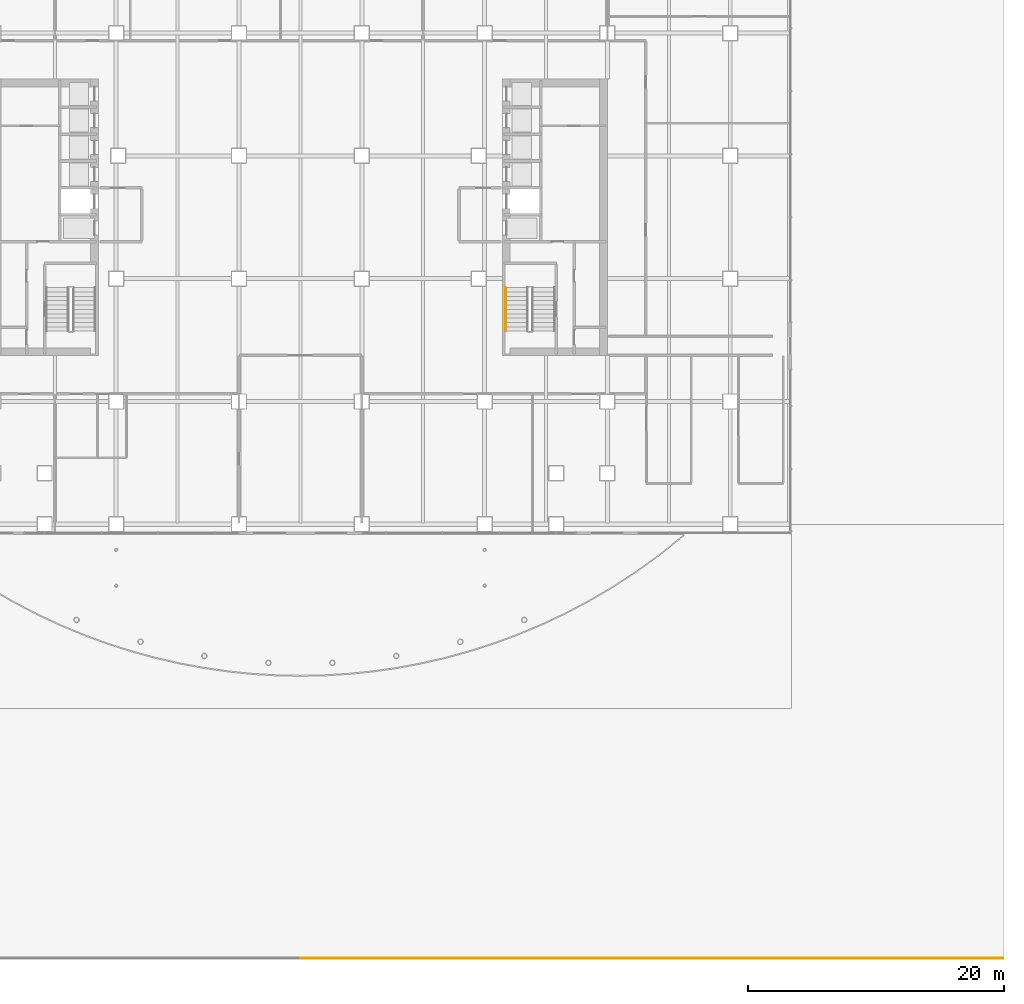
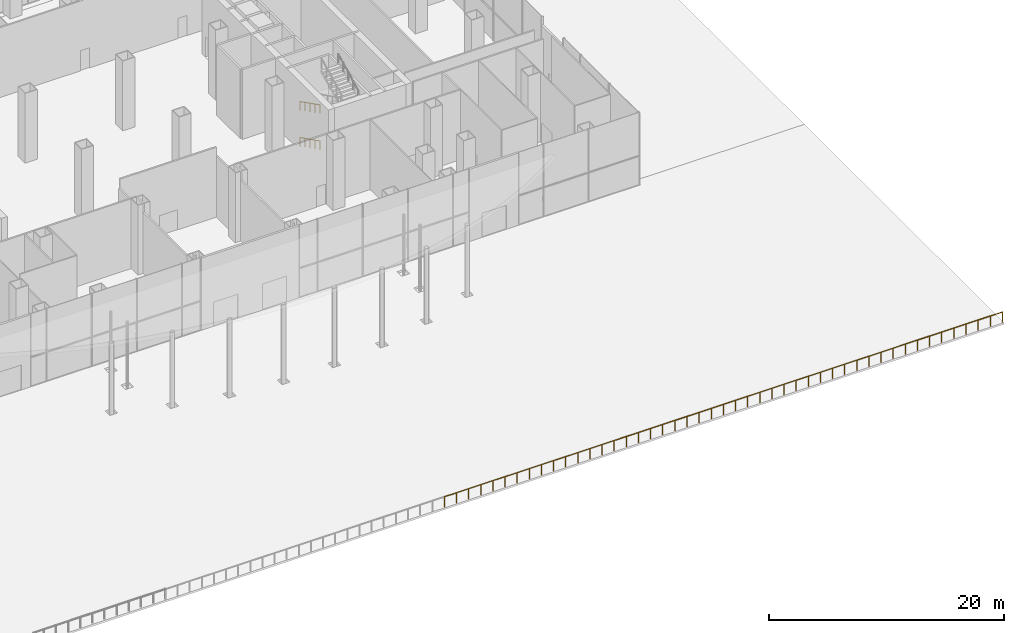
# One storey, part 33 of 36: 4 railings.
"""IFC4 building model written with IfcOpenShell, lengths in metres."""

from ifc_helpers import new_model, si_unit, direction, frame, origin, origin_2d, place, context, subcontext, project, spatial, circle, extrude, material, type_object, element, save


model = new_model("IFC4")

# Units and contexts
model_context = context("Model", 3, precision=1e-05, world=origin(), true_north=direction((0.0, 1.0)))
body_context = subcontext(model_context, "Body", "Model", "MODEL_VIEW")
ifc_project = project(units=[si_unit("LENGTHUNIT", "METRE"), si_unit("AREAUNIT", "SQUARE_METRE"), si_unit("VOLUMEUNIT", "CUBIC_METRE"), si_unit("PLANEANGLEUNIT", "RADIAN"), si_unit("MASSUNIT", "GRAM", prefix="KILO")], contexts=[model_context])

# Site, building, storey
site_placement = place(None, origin())
site = spatial("IfcSite", under=ifc_project, at=site_placement, CompositionType="ELEMENT")
building_placement = place(site_placement, origin())
building = spatial("IfcBuilding", under=site, at=building_placement, Name="Cobrizo Arcos Hotel Tower", CompositionType="ELEMENT")
storey_placement = place(building_placement, origin())
storey = spatial("IfcBuildingStorey", under=building, at=storey_placement, Name="L00", CompositionType="ELEMENT", Elevation=0.0)

# Railings
ifc_material = material(Name="Stainless steel railing", Category="steel")
railing_type_1 = type_object("IfcRailingType", Name="Quay edge guard 1100", PredefinedType="GUARDRAIL", material=ifc_material)
railing_1_placement = place(storey_placement, frame((0.0, -57.89990234375, 0.0)))
element("IfcRailing", 1, at=railing_1_placement, inside=storey, type_object=railing_type_1, Name="Quay edge guard 3", PredefinedType="GUARDRAIL", context=body_context, shape_type="SweptSolid", body=[
    extrude(circle(Radius=0.02392578125, at=origin_2d()), frame((0.0, 0.0, 1.076171875), z_axis=(1.0, 0.0, 0.0), x_axis=(0.0, 1.0, 0.0)), (0.0, 0.0, 1.0), 27.449951171875),
    extrude(circle(Radius=0.02099609375, at=origin_2d()), origin(), (0.0, 0.0, 1.0), 1.052001953125),
    extrude(circle(Radius=0.02099609375, at=origin_2d()), frame((1.193359375, 0.0, 0.0)), (0.0, 0.0, 1.0), 1.052001953125),
    extrude(circle(Radius=0.02099609375, at=origin_2d()), frame((2.386962890625, 0.0, 0.0)), (0.0, 0.0, 1.0), 1.052001953125),
    extrude(circle(Radius=0.02099609375, at=origin_2d()), frame((3.580322265625, 0.0, 0.0)), (0.0, 0.0, 1.0), 1.052001953125),
    extrude(circle(Radius=0.02099609375, at=origin_2d()), frame((4.77392578125, 0.0, 0.0)), (0.0, 0.0, 1.0), 1.052001953125),
    extrude(circle(Radius=0.02099609375, at=origin_2d()), frame((5.96728515625, 0.0, 0.0)), (0.0, 0.0, 1.0), 1.052001953125),
    extrude(circle(Radius=0.02099609375, at=origin_2d()), frame((7.160888671875, 0.0, 0.0)), (0.0, 0.0, 1.0), 1.052001953125),
    extrude(circle(Radius=0.02099609375, at=origin_2d()), frame((8.354248046875, 0.0, 0.0)), (0.0, 0.0, 1.0), 1.052001953125),
    extrude(circle(Radius=0.02099609375, at=origin_2d()), frame((9.5478515625, 0.0, 0.0)), (0.0, 0.0, 1.0), 1.052001953125),
    extrude(circle(Radius=0.02099609375, at=origin_2d()), frame((10.7412109375, 0.0, 0.0)), (0.0, 0.0, 1.0), 1.052001953125),
    extrude(circle(Radius=0.02099609375, at=origin_2d()), frame((11.934814453125, 0.0, 0.0)), (0.0, 0.0, 1.0), 1.052001953125),
    extrude(circle(Radius=0.02099609375, at=origin_2d()), frame((13.128173828125, 0.0, 0.0)), (0.0, 0.0, 1.0), 1.052001953125),
    extrude(circle(Radius=0.02099609375, at=origin_2d()), frame((14.32177734375, 0.0, 0.0)), (0.0, 0.0, 1.0), 1.052001953125),
    extrude(circle(Radius=0.02099609375, at=origin_2d()), frame((15.51513671875, 0.0, 0.0)), (0.0, 0.0, 1.0), 1.052001953125),
    extrude(circle(Radius=0.02099609375, at=origin_2d()), frame((16.708740234375, 0.0, 0.0)), (0.0, 0.0, 1.0), 1.052001953125),
    extrude(circle(Radius=0.02099609375, at=origin_2d()), frame((17.902099609375, 0.0, 0.0)), (0.0, 0.0, 1.0), 1.052001953125),
    extrude(circle(Radius=0.02099609375, at=origin_2d()), frame((19.095703125, 0.0, 0.0)), (0.0, 0.0, 1.0), 1.052001953125),
    extrude(circle(Radius=0.02099609375, at=origin_2d()), frame((20.2890625, 0.0, 0.0)), (0.0, 0.0, 1.0), 1.052001953125),
    extrude(circle(Radius=0.02099609375, at=origin_2d()), frame((21.482666015625, 0.0, 0.0)), (0.0, 0.0, 1.0), 1.052001953125),
    extrude(circle(Radius=0.02099609375, at=origin_2d()), frame((22.676025390625, 0.0, 0.0)), (0.0, 0.0, 1.0), 1.052001953125),
    extrude(circle(Radius=0.02099609375, at=origin_2d()), frame((23.86962890625, 0.0, 0.0)), (0.0, 0.0, 1.0), 1.052001953125),
    extrude(circle(Radius=0.02099609375, at=origin_2d()), frame((25.06298828125, 0.0, 0.0)), (0.0, 0.0, 1.0), 1.052001953125),
    extrude(circle(Radius=0.02099609375, at=origin_2d()), frame((26.256591796875, 0.0, 0.0)), (0.0, 0.0, 1.0), 1.052001953125),
    extrude(circle(Radius=0.02099609375, at=origin_2d()), frame((27.449951171875, 0.0, 0.0)), (0.0, 0.0, 1.0), 1.052001953125),
])
railing_2_placement = place(storey_placement, frame((27.449951171875, -57.89990234375, 0.0)))
element("IfcRailing", 2, at=railing_2_placement, inside=storey, type_object=railing_type_1, Name="Quay edge guard 4", PredefinedType="GUARDRAIL", context=body_context, shape_type="SweptSolid", body=[
    extrude(circle(Radius=0.02392578125, at=origin_2d()), frame((0.0, 0.0, 1.076171875), z_axis=(1.0, 0.0, 0.0), x_axis=(0.0, 1.0, 0.0)), (0.0, 0.0, 1.0), 27.449951171875),
    extrude(circle(Radius=0.02099609375, at=origin_2d()), origin(), (0.0, 0.0, 1.0), 1.052001953125),
    extrude(circle(Radius=0.02099609375, at=origin_2d()), frame((1.193359375, 0.0, 0.0)), (0.0, 0.0, 1.0), 1.052001953125),
    extrude(circle(Radius=0.02099609375, at=origin_2d()), frame((2.386962890625, 0.0, 0.0)), (0.0, 0.0, 1.0), 1.052001953125),
    extrude(circle(Radius=0.02099609375, at=origin_2d()), frame((3.580322265625, 0.0, 0.0)), (0.0, 0.0, 1.0), 1.052001953125),
    extrude(circle(Radius=0.02099609375, at=origin_2d()), frame((4.77392578125, 0.0, 0.0)), (0.0, 0.0, 1.0), 1.052001953125),
    extrude(circle(Radius=0.02099609375, at=origin_2d()), frame((5.96728515625, 0.0, 0.0)), (0.0, 0.0, 1.0), 1.052001953125),
    extrude(circle(Radius=0.02099609375, at=origin_2d()), frame((7.160888671875, 0.0, 0.0)), (0.0, 0.0, 1.0), 1.052001953125),
    extrude(circle(Radius=0.02099609375, at=origin_2d()), frame((8.354248046875, 0.0, 0.0)), (0.0, 0.0, 1.0), 1.052001953125),
    extrude(circle(Radius=0.02099609375, at=origin_2d()), frame((9.5478515625, 0.0, 0.0)), (0.0, 0.0, 1.0), 1.052001953125),
    extrude(circle(Radius=0.02099609375, at=origin_2d()), frame((10.7412109375, 0.0, 0.0)), (0.0, 0.0, 1.0), 1.052001953125),
    extrude(circle(Radius=0.02099609375, at=origin_2d()), frame((11.934814453125, 0.0, 0.0)), (0.0, 0.0, 1.0), 1.052001953125),
    extrude(circle(Radius=0.02099609375, at=origin_2d()), frame((13.128173828125, 0.0, 0.0)), (0.0, 0.0, 1.0), 1.052001953125),
    extrude(circle(Radius=0.02099609375, at=origin_2d()), frame((14.32177734375, 0.0, 0.0)), (0.0, 0.0, 1.0), 1.052001953125),
    extrude(circle(Radius=0.02099609375, at=origin_2d()), frame((15.51513671875, 0.0, 0.0)), (0.0, 0.0, 1.0), 1.052001953125),
    extrude(circle(Radius=0.02099609375, at=origin_2d()), frame((16.708740234375, 0.0, 0.0)), (0.0, 0.0, 1.0), 1.052001953125),
    extrude(circle(Radius=0.02099609375, at=origin_2d()), frame((17.902099609375, 0.0, 0.0)), (0.0, 0.0, 1.0), 1.052001953125),
    extrude(circle(Radius=0.02099609375, at=origin_2d()), frame((19.095703125, 0.0, 0.0)), (0.0, 0.0, 1.0), 1.052001953125),
    extrude(circle(Radius=0.02099609375, at=origin_2d()), frame((20.2890625, 0.0, 0.0)), (0.0, 0.0, 1.0), 1.052001953125),
    extrude(circle(Radius=0.02099609375, at=origin_2d()), frame((21.482666015625, 0.0, 0.0)), (0.0, 0.0, 1.0), 1.052001953125),
    extrude(circle(Radius=0.02099609375, at=origin_2d()), frame((22.676025390625, 0.0, 0.0)), (0.0, 0.0, 1.0), 1.052001953125),
    extrude(circle(Radius=0.02099609375, at=origin_2d()), frame((23.86962890625, 0.0, 0.0)), (0.0, 0.0, 1.0), 1.052001953125),
    extrude(circle(Radius=0.02099609375, at=origin_2d()), frame((25.06298828125, 0.0, 0.0)), (0.0, 0.0, 1.0), 1.052001953125),
    extrude(circle(Radius=0.02099609375, at=origin_2d()), frame((26.256591796875, 0.0, 0.0)), (0.0, 0.0, 1.0), 1.052001953125),
    extrude(circle(Radius=0.02099609375, at=origin_2d()), frame((27.449951171875, 0.0, 0.0)), (0.0, 0.0, 1.0), 1.052001953125),
])
railing_type_2 = type_object("IfcRailingType", Name="Stair handrail", PredefinedType="HANDRAIL", material=ifc_material)
for number, where, name in (
    (3, (16.050048828125, -5.5, 0.17041015625), "L00 ST-E stair handrail 1"),
    (4, (16.050048828125, -5.5, 3.92041015625), "L00 ST-E stair handrail 3"),
):
    element("IfcRailing", number, at=place(storey_placement, frame(where)), inside=storey, type_object=railing_type_2, Name=name, PredefinedType="HANDRAIL", context=body_context, shape_type="SweptSolid", body=[
        extrude(circle(Radius=0.02392578125, at=origin_2d()), frame((0.0, 0.0, 0.8759765625), z_axis=(0.0, -0.89393879905, 0.448189048899), x_axis=(1.0, 0.0, 0.0)), (0.0, 0.0, 1.0), 3.80322265625),
        extrude(circle(Radius=0.02099609375, at=origin_2d()), origin(), (0.0, 0.0, 1.0), 0.851806640625),
        extrude(circle(Radius=0.02099609375, at=origin_2d()), frame((0.0, -0.85009765625, 0.42626953125)), (0.0, 0.0, 1.0), 0.851806640625),
        extrude(circle(Radius=0.02099609375, at=origin_2d()), frame((0.0, -1.699951171875, 0.852294921875)), (0.0, 0.0, 1.0), 0.851806640625),
        extrude(circle(Radius=0.02099609375, at=origin_2d()), frame((0.0, -2.5498046875, 1.2783203125)), (0.0, 0.0, 1.0), 0.851806640625),
        extrude(circle(Radius=0.02099609375, at=origin_2d()), frame((0.0, -3.39990234375, 1.70458984375)), (0.0, 0.0, 1.0), 0.851806640625),
    ])

save(model, "model.ifc")
